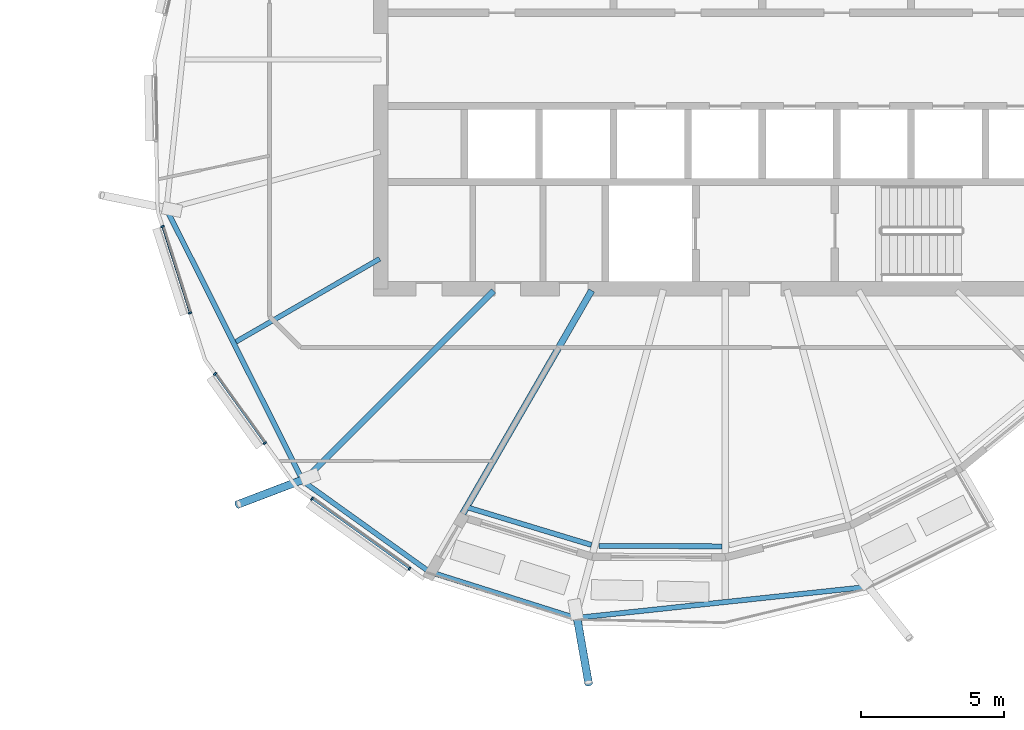
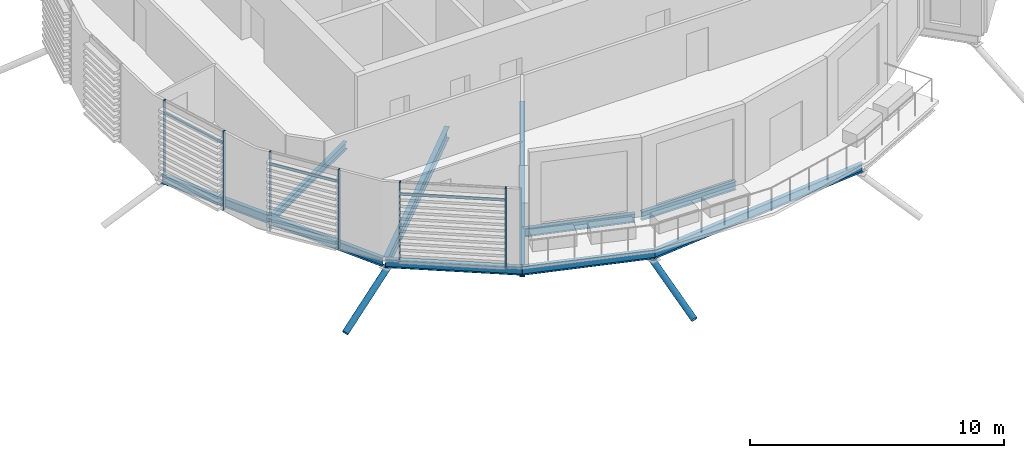
# One storey, part 9 of 41: 11 members, 9 beams, 1 element without a shape of its own.
"""IFC4 building model written with IfcOpenShell, lengths in metres."""

from ifc_helpers import new_model, si_unit, direction, frame, origin, origin_2d, place, context, subcontext, project, spatial, rectangle, hollow_circle, i_section, extrude, clip, halfspace, material, material_profile, profile_set, type_object, element, aggregate, save


model = new_model("IFC4")

# Units and contexts
model_context = context("Model", 3, precision=1e-05, world=origin(), true_north=direction((0.0, 1.0)))
body_context = subcontext(model_context, "Body", "Model", "MODEL_VIEW")
ifc_project = project(units=[si_unit("LENGTHUNIT", "METRE"), si_unit("AREAUNIT", "SQUARE_METRE"), si_unit("VOLUMEUNIT", "CUBIC_METRE"), si_unit("PLANEANGLEUNIT", "RADIAN"), si_unit("MASSUNIT", "GRAM", prefix="KILO")], contexts=[model_context])

# Site, building, storey
site_placement = place(None, origin())
site = spatial("IfcSite", under=ifc_project, at=site_placement, CompositionType="ELEMENT")
building_placement = place(site_placement, origin())
building = spatial("IfcBuilding", under=site, at=building_placement, Name="Rimbun Link Towers", CompositionType="ELEMENT")
storey_placement = place(building_placement, frame((0.0, 0.0, 210.5)))
storey = spatial("IfcBuildingStorey", under=building, at=storey_placement, Name="L51", CompositionType="ELEMENT", Elevation=210.5)

# Curtain wall, members
ifc_material_1 = material(Name="Aluminium 6063-T6 and low-iron glass", Category="aluminium")
curtain_wall_type = type_object("IfcCurtainWallType", Name="CW1-Z4 unitised vision wall (zone 4)", PredefinedType="NOTDEFINED", material=ifc_material_1)
curtain_wall_placement = place(storey_placement, origin())
curtain_wall = element("IfcCurtainWall", 1, at=curtain_wall_placement, inside=storey, type_object=curtain_wall_type, Name="CW1 L51 T2", PredefinedType="NOTDEFINED")
ifc_material_2 = material(Name="Aluminium 6063-T6", Category="aluminium")
ifc_material_profile_1 = material_profile(ifc_material_2, rectangle(XDim=0.1201171875, YDim=0.06005859375, at=origin_2d()), Name="MULLION 60X120")
ifc_profile_set_1 = profile_set([ifc_material_profile_1], Name="Aluminium 6063-T6")
member_type_1 = type_object("IfcMemberType", Name="CW1 mullion 60X120", PredefinedType="MULLION", material=ifc_profile_set_1)
member_1_placement = place(storey_placement, frame((13.09228515625, -8.839599609375, 0.0), z_axis=(0.0, 0.0, 1.0), x_axis=(-0.952968975919, -0.30306786523, 0.0)))
member_1 = element("IfcMember", 2, at=member_1_placement, type_object=member_type_1, Name="CW1 mullion", PredefinedType="MULLION", context=body_context, shape_type="SweptSolid", body=[
    extrude(rectangle(XDim=0.1201171875, YDim=0.06005859375, at=origin_2d()), origin(), (0.0, 0.0, 1.0), 3.800048828125),
])
member_2_placement = place(storey_placement, frame((12.134521484375, -5.82763671875, 0.0), z_axis=(0.0, 0.0, 1.0), x_axis=(-0.952968975919, -0.30306786523, 0.0)))
member_2 = element("IfcMember", 3, at=member_2_placement, type_object=member_type_1, Name="CW1 mullion", PredefinedType="MULLION", context=body_context, shape_type="SweptSolid", body=[
    extrude(rectangle(XDim=0.1201171875, YDim=0.06005859375, at=origin_2d()), origin(), (0.0, 0.0, 1.0), 3.800048828125),
])
member_3_placement = place(storey_placement, frame((15.70166015625, -13.383056640625, 0.0), z_axis=(0.0, 0.0, 1.0), x_axis=(-0.812469633551, -0.583003511617, 0.0)))
member_3 = element("IfcMember", 4, at=member_3_placement, type_object=member_type_1, Name="CW1 mullion", PredefinedType="MULLION", context=body_context, shape_type="SweptSolid", body=[
    extrude(rectangle(XDim=0.1201171875, YDim=0.06005859375, at=origin_2d()), origin(), (0.0, 0.0, 1.0), 3.800048828125),
])
member_4_placement = place(storey_placement, frame((13.9658203125, -10.9638671875, 0.0), z_axis=(0.0, 0.0, 1.0), x_axis=(-0.812469633551, -0.583003511617, 0.0)))
member_4 = element("IfcMember", 5, at=member_4_placement, type_object=member_type_1, Name="CW1 mullion", PredefinedType="MULLION", context=body_context, shape_type="SweptSolid", body=[
    extrude(rectangle(XDim=0.1201171875, YDim=0.06005859375, at=origin_2d()), origin(), (0.0, 0.0, 1.0), 3.800048828125),
])
member_5_placement = place(storey_placement, frame((20.745361328125, -17.7548828125, 0.0), z_axis=(0.0, 0.0, 1.0), x_axis=(-0.583003511617, -0.812469633551, 0.0)))
member_5 = element("IfcMember", 6, at=member_5_placement, type_object=member_type_1, Name="CW1 mullion", PredefinedType="MULLION", context=body_context, shape_type="SweptSolid", body=[
    extrude(rectangle(XDim=0.1201171875, YDim=0.06005859375, at=origin_2d()), origin(), (0.0, 0.0, 1.0), 3.800048828125),
])
member_6_placement = place(storey_placement, frame((17.351318359375, -15.319580078125, 0.0), z_axis=(0.0, 0.0, 1.0), x_axis=(-0.583003511617, -0.812469633551, 0.0)))
member_6 = element("IfcMember", 7, at=member_6_placement, type_object=member_type_1, Name="CW1 mullion", PredefinedType="MULLION", context=body_context, shape_type="SweptSolid", body=[
    extrude(rectangle(XDim=0.1201171875, YDim=0.06005859375, at=origin_2d()), origin(), (0.0, 0.0, 1.0), 3.800048828125),
])
ifc_material_3 = material(Name="Aluminium 6063-T6", Category="aluminium")
ifc_material_profile_2 = material_profile(ifc_material_3, rectangle(XDim=0.06005859375, YDim=0.1201171875, at=origin_2d()), Name="TRANSOM 60X120")
ifc_profile_set_2 = profile_set([ifc_material_profile_2], Name="Aluminium 6063-T6")
member_type_2 = type_object("IfcMemberType", Name="CW1 transom 60X120", PredefinedType="USERDEFINED", material=ifc_profile_set_2)
member_7_placement = place(storey_placement, frame((13.085205078125, -8.810546875, 3.199951171875), z_axis=(-0.303063904527, 0.952970235513, 0.0), x_axis=(-0.952970235513, -0.303063904527, 0.0)))
member_7 = element("IfcMember", 8, at=member_7_placement, type_object=member_type_2, Name="CW1 transom", ObjectType="TRANSOM", PredefinedType="USERDEFINED", context=body_context, shape_type="SweptSolid", body=[
    extrude(rectangle(XDim=0.06005859375, YDim=0.1201171875, at=origin_2d()), origin(), (0.0, 0.0, 1.0), 3.1005859375),
])
member_8_placement = place(storey_placement, frame((15.685791015625, -13.357666015625, 3.199951171875), z_axis=(-0.582970323922, 0.812493447005, 0.0), x_axis=(-0.812493447005, -0.582970323922, 0.0)))
member_8 = element("IfcMember", 9, at=member_8_placement, type_object=member_type_2, Name="CW1 transom", ObjectType="TRANSOM", PredefinedType="USERDEFINED", context=body_context, shape_type="SweptSolid", body=[
    extrude(rectangle(XDim=0.06005859375, YDim=0.1201171875, at=origin_2d()), origin(), (0.0, 0.0, 1.0), 2.917724609375),
])
member_9_placement = place(storey_placement, frame((20.72216796875, -17.73583984375, 3.199951171875), z_axis=(-0.812473528823, 0.582998083155, 0.0), x_axis=(-0.582998083155, -0.812473528823, 0.0)))
member_9 = element("IfcMember", 10, at=member_9_placement, type_object=member_type_2, Name="CW1 transom", ObjectType="TRANSOM", PredefinedType="USERDEFINED", context=body_context, shape_type="SweptSolid", body=[
    extrude(rectangle(XDim=0.06005859375, YDim=0.1201171875, at=origin_2d()), origin(), (0.0, 0.0, 1.0), 4.117431640625),
])
aggregate(curtain_wall, [member_1, member_2, member_3, member_4, member_5, member_6, member_7, member_8, member_9])

# Members
ifc_material_4 = material(Name="Steel S355J2H", Category="steel")
ifc_material_profile_3 = material_profile(ifc_material_4, hollow_circle(Radius=0.136474609375, WallThickness=0.012451171875, at=origin_2d()), Name="CHS 273x12.5")
ifc_profile_set_3 = profile_set([ifc_material_profile_3], Name="Steel S355J2H")
member_type_3 = type_object("IfcMemberType", Name="Floor edge link CHS 273x12.5", PredefinedType="BRACE", material=ifc_profile_set_3)
member_10_placement = place(storey_placement, frame((17.13720703125, -14.61279296875, -0.78759765625), z_axis=(-0.784909302382, -0.298749690562, -0.542831474238), x_axis=(0.355721452893, -0.934592022196, 0.0)))
element("IfcMember", 11, at=member_10_placement, inside=storey, type_object=member_type_3, Name="Floor edge link T2 L51 12", PredefinedType="BRACE", context=body_context, shape_type="Clipping", body=[
    clip(extrude(hollow_circle(Radius=0.136474609375, WallThickness=0.012451171875, at=origin_2d()), frame((0.0, 0.0, -0.440673828125)), (0.0, 0.0, 1.0), 3.486328125), halfspace(frame((0.0, 0.0, -0.207275390625), z_axis=(0.0, 0.839841646132, -0.542831474238)), False)),
])
member_11_placement = place(storey_placement, frame((26.567626953125, -19.341064453125, -0.860595703125), z_axis=(0.149610741599, -0.852644283642, -0.500613974606), x_axis=(0.984952300674, 0.172826402487, 0.0)))
element("IfcMember", 12, at=member_11_placement, inside=storey, type_object=member_type_3, Name="Floor edge link T2 L51 14", PredefinedType="BRACE", context=body_context, shape_type="Clipping", body=[
    clip(extrude(hollow_circle(Radius=0.136474609375, WallThickness=0.012451171875, at=origin_2d()), frame((0.0, 0.0, -0.491943359375)), (0.0, 0.0, 1.0), 3.344482421875), halfspace(frame((0.0, 0.0, -0.231689453125), z_axis=(0.0, 0.865670635074, -0.500613974606)), False)),
])

# Beams
ifc_material_5 = material(Name="Steel S355J2", Category="steel")
ifc_material_profile_4 = material_profile(ifc_material_5, i_section(OverallWidth=0.17138671875, OverallDepth=0.35498046875, WebThickness=0.00732421875, FlangeThickness=0.011474609375, at=origin_2d()), Name="UB 356x171x51")
ifc_profile_set_4 = profile_set([ifc_material_profile_4], Name="Steel S355J2")
beam_type_1 = type_object("IfcBeamType", Name="UB 356x171x51", PredefinedType="BEAM", material=ifc_profile_set_4)
beam_1_placement = place(storey_placement, frame((19.706298828125, -6.95361328125, -0.3173828125), z_axis=(-0.866032388169, -0.499987902496, 0.0), x_axis=(0.499987902496, -0.866032388169, 0.0)))
element("IfcBeam", 13, at=beam_1_placement, inside=storey, type_object=beam_type_1, Name="Radial beam T2 L51 11", PredefinedType="BEAM", context=body_context, shape_type="SweptSolid", body=[
    extrude(i_section(OverallWidth=0.17138671875, OverallDepth=0.35498046875, WebThickness=0.00732421875, FlangeThickness=0.011474609375, at=origin_2d()), origin(), (0.0, 0.0, 1.0), 5.785400390625),
])
ifc_material_6 = material(Name="Steel S355J2", Category="steel")
ifc_material_profile_5 = material_profile(ifc_material_6, i_section(OverallWidth=0.177978515625, OverallDepth=0.406494140625, WebThickness=0.0078125, FlangeThickness=0.0126953125, at=origin_2d()), Name="UB 406x178x60")
ifc_profile_set_5 = profile_set([ifc_material_profile_5], Name="Steel S355J2")
beam_type_2 = type_object("IfcBeamType", Name="UB 406x178x60", PredefinedType="BEAM", material=ifc_profile_set_5)
beam_2_placement = place(storey_placement, frame((12.314697265625, -5.30078125, -0.34326171875), z_axis=(0.44848784032, -0.893788933186, 0.0), x_axis=(0.893788933186, 0.44848784032, 0.0)))
element("IfcBeam", 14, at=beam_2_placement, inside=storey, type_object=beam_type_2, Name="Edge beam T2 L51 10-12", PredefinedType="BEAM", context=body_context, shape_type="SweptSolid", body=[
    extrude(i_section(OverallWidth=0.177978515625, OverallDepth=0.406494140625, WebThickness=0.0078125, FlangeThickness=0.0126953125, at=origin_2d()), origin(), (0.0, 0.0, 1.0), 10.419189453125),
])
beam_3_placement = place(storey_placement, frame((17.0380859375, -14.713134765625, -0.34326171875), z_axis=(0.812980643801, -0.58229071159, 0.0), x_axis=(0.58229071159, 0.812980643801, 0.0)))
element("IfcBeam", 15, at=beam_3_placement, inside=storey, type_object=beam_type_2, Name="Edge beam T2 L51 12", PredefinedType="BEAM", context=body_context, shape_type="SweptSolid", body=[
    extrude(i_section(OverallWidth=0.177978515625, OverallDepth=0.406494140625, WebThickness=0.0078125, FlangeThickness=0.0126953125, at=origin_2d()), origin(), (0.0, 0.0, 1.0), 5.395263671875),
])
beam_4_placement = place(storey_placement, frame((22.765869140625, -15.6201171875, -0.34326171875), z_axis=(0.957105231864, -0.289740530714, 0.0), x_axis=(0.289740530714, 0.957105231864, 0.0)))
element("IfcBeam", 16, at=beam_4_placement, inside=storey, type_object=beam_type_2, Name="Edge beam T2 L51 13 recess", PredefinedType="BEAM", context=body_context, shape_type="SweptSolid", body=[
    extrude(i_section(OverallWidth=0.177978515625, OverallDepth=0.406494140625, WebThickness=0.0078125, FlangeThickness=0.0126953125, at=origin_2d()), origin(), (0.0, 0.0, 1.0), 4.519775390625),
])
beam_5_placement = place(storey_placement, frame((21.450927734375, -17.8681640625, -0.34326171875), z_axis=(0.953376068303, -0.301784811393, 0.0), x_axis=(0.301784811393, 0.953376068303, 0.0)))
element("IfcBeam", 17, at=beam_5_placement, inside=storey, type_object=beam_type_2, Name="Edge beam T2 L51 13 terrace", PredefinedType="BEAM", context=body_context, shape_type="SweptSolid", body=[
    extrude(i_section(OverallWidth=0.177978515625, OverallDepth=0.406494140625, WebThickness=0.0078125, FlangeThickness=0.0126953125, at=origin_2d()), origin(), (0.0, 0.0, 1.0), 5.327880859375),
])
beam_6_placement = place(storey_placement, frame((27.3466796875, -16.96435546875, -0.34326171875), z_axis=(0.999995097745, -0.003131211522, 0.0), x_axis=(0.003131211522, 0.999995097745, 0.0)))
element("IfcBeam", 18, at=beam_6_placement, inside=storey, type_object=beam_type_2, Name="Edge beam T2 L51 14 recess", PredefinedType="BEAM", context=body_context, shape_type="SweptSolid", body=[
    extrude(i_section(OverallWidth=0.177978515625, OverallDepth=0.406494140625, WebThickness=0.0078125, FlangeThickness=0.0126953125, at=origin_2d()), origin(), (0.0, 0.0, 1.0), 4.288330078125),
])
beam_7_placement = place(storey_placement, frame((26.5322265625, -19.476318359375, -0.34326171875), z_axis=(0.994371241469, 0.105952036973, 0.0), x_axis=(-0.105952036973, 0.994371241469, 0.0)))
element("IfcBeam", 19, at=beam_7_placement, inside=storey, type_object=beam_type_2, Name="Edge beam T2 L51 14-16", PredefinedType="BEAM", context=body_context, shape_type="SweptSolid", body=[
    extrude(i_section(OverallWidth=0.177978515625, OverallDepth=0.406494140625, WebThickness=0.0078125, FlangeThickness=0.0126953125, at=origin_2d()), origin(), (0.0, 0.0, 1.0), 10.088134765625),
])
ifc_material_7 = material(Name="Steel S355J2", Category="steel")
ifc_material_profile_6 = material_profile(ifc_material_7, i_section(OverallWidth=0.209228515625, OverallDepth=0.533203125, WebThickness=0.010009765625, FlangeThickness=0.015625, at=origin_2d()), Name="UB 533x210x92")
ifc_profile_set_6 = profile_set([ifc_material_profile_6], Name="Steel S355J2")
beam_type_3 = type_object("IfcBeamType", Name="UB 533x210x92", PredefinedType="BEAM", material=ifc_profile_set_6)
beam_8_placement = place(storey_placement, frame((23.67529296875, -8.07470703125, -0.406494140625), z_axis=(-0.707106781187, -0.707106781187, 0.0), x_axis=(0.707106781187, -0.707106781187, 0.0)))
element("IfcBeam", 20, at=beam_8_placement, inside=storey, type_object=beam_type_3, Name="Radial beam T2 L51 12", PredefinedType="BEAM", context=body_context, shape_type="SweptSolid", body=[
    extrude(i_section(OverallWidth=0.209228515625, OverallDepth=0.533203125, WebThickness=0.010009765625, FlangeThickness=0.015625, at=origin_2d()), origin(), (0.0, 0.0, 1.0), 9.29638671875),
])
ifc_material_8 = material(Name="Steel S355J2", Category="steel")
ifc_material_profile_7 = material_profile(ifc_material_8, i_section(OverallWidth=0.2275390625, OverallDepth=0.6025390625, WebThickness=0.010498046875, FlangeThickness=0.014892578125, at=origin_2d()), Name="UB 610x229x101")
ifc_profile_set_7 = profile_set([ifc_material_profile_7], Name="Steel S355J2")
beam_type_4 = type_object("IfcBeamType", Name="UB 610x229x101", PredefinedType="BEAM", material=ifc_profile_set_7)
beam_9_placement = place(storey_placement, frame((27.097900390625, -8.057861328125, -0.44140625), z_axis=(-0.500017212096, -0.866015466148, 0.0), x_axis=(0.866015466148, -0.500017212096, 0.0)))
element("IfcBeam", 21, at=beam_9_placement, inside=storey, type_object=beam_type_4, Name="Radial beam T2 L51 13", PredefinedType="BEAM", context=body_context, shape_type="SweptSolid", body=[
    extrude(i_section(OverallWidth=0.2275390625, OverallDepth=0.6025390625, WebThickness=0.010498046875, FlangeThickness=0.014892578125, at=origin_2d()), origin(), (0.0, 0.0, 1.0), 11.232421875),
])

save(model, "model.ifc")
